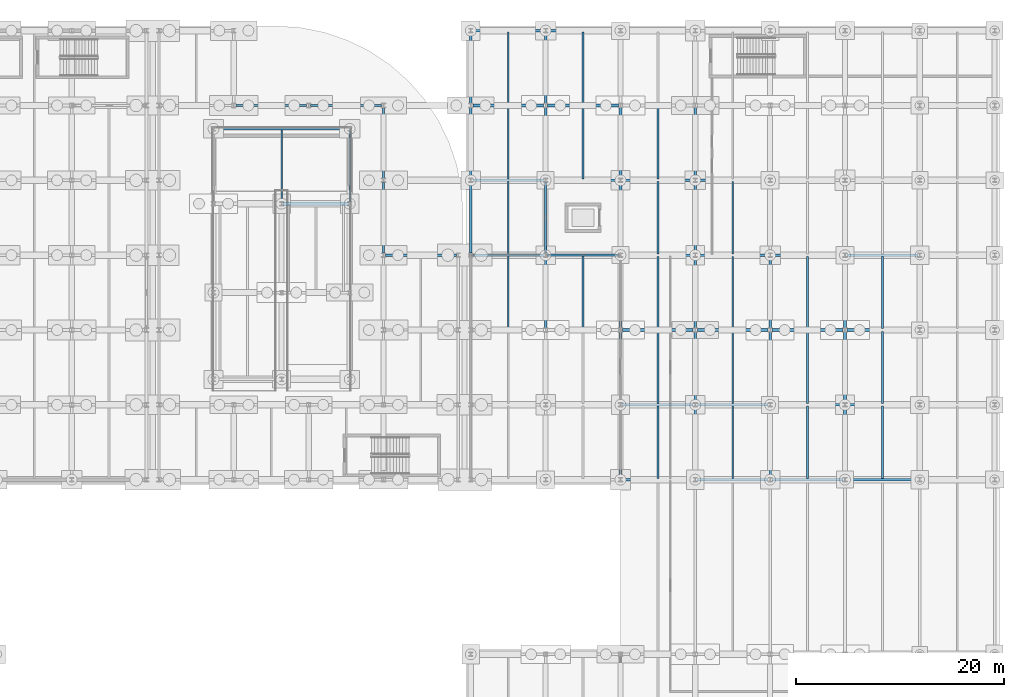
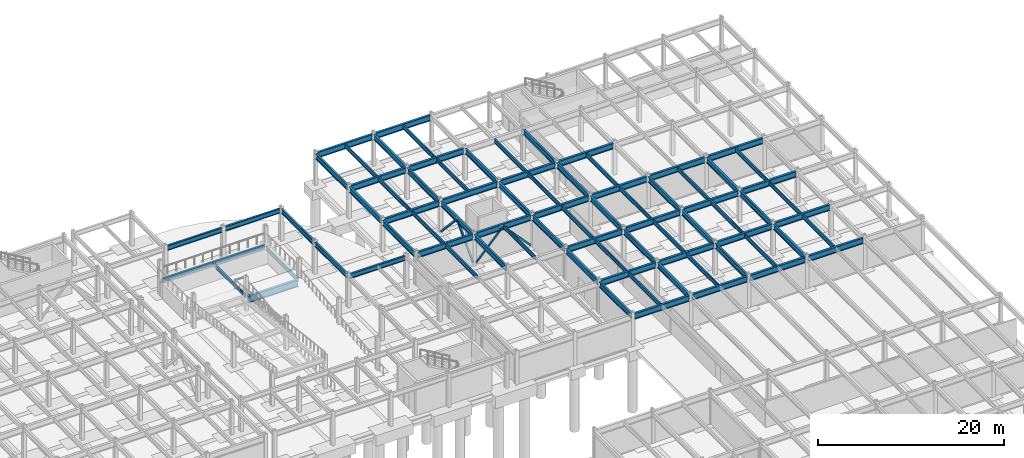
# One storey, part 35 of 54: 80 beams, 4 members.
"""IFC4 building model written with IfcOpenShell, lengths in metres."""

from ifc_helpers import new_model, si_unit, direction, frame, origin, origin_2d, place, context, subcontext, project, spatial, hollow_rectangle, i_section, extrude, material, material_profile, profile_set, type_object, element, save


model = new_model("IFC4")

# Units and contexts
model_context = context("Model", 3, precision=1e-05, world=origin(), true_north=direction((0.0, 1.0)))
body_context = subcontext(model_context, "Body", "Model", "MODEL_VIEW")
ifc_project = project(units=[si_unit("LENGTHUNIT", "METRE"), si_unit("AREAUNIT", "SQUARE_METRE"), si_unit("VOLUMEUNIT", "CUBIC_METRE"), si_unit("PLANEANGLEUNIT", "RADIAN"), si_unit("MASSUNIT", "GRAM", prefix="KILO")], contexts=[model_context])

# Site, building, storey
site_placement = place(None, origin())
site = spatial("IfcSite", under=ifc_project, at=site_placement, CompositionType="ELEMENT")
building_placement = place(site_placement, origin())
building = spatial("IfcBuilding", under=site, at=building_placement, Name="Vaelcorin Mobility Hub", CompositionType="ELEMENT")
storey_placement = place(building_placement, frame((0.0, 0.0, -4.5)))
storey = spatial("IfcBuildingStorey", under=building, at=storey_placement, Name="B1", CompositionType="ELEMENT", Elevation=-4.5)

# Beams
ifc_material_1 = material(Name="Steel ASTM A992 Grade 50", Category="steel")
ifc_material_profile_1 = material_profile(ifc_material_1, i_section(OverallWidth=0.152099609375, OverallDepth=0.455078125, WebThickness=0.008056640625, FlangeThickness=0.01318359375, FilletRadius=0.012939453125, at=origin_2d()), Name="W18X40")
ifc_profile_set_1 = profile_set([ifc_material_profile_1], Name="Steel ASTM A992 Grade 50")
beam_type_1 = type_object("IfcBeamType", Name="BM-W18X40", PredefinedType="JOIST", material=ifc_profile_set_1)
beam_1_placement = place(storey_placement, frame((135.39990234375, 103.52490234375, 1.741943359375), z_axis=(0.0, 1.0, 0.0), x_axis=(-1.0, 0.0, 0.0)))
element("IfcBeam", 1, at=beam_1_placement, inside=storey, type_object=beam_type_1, Name="Vehicle Ramp VR-2 B1 Landing Mid Joist", PredefinedType="JOIST", context=body_context, shape_type="SweptSolid", body=[
    extrude(i_section(OverallWidth=0.152099609375, OverallDepth=0.455078125, WebThickness=0.008056640625, FlangeThickness=0.01318359375, FilletRadius=0.012939453125, at=origin_2d()), origin(), (0.0, 0.0, 1.0), 6.922119140625),
])
ifc_material_profile_2 = material_profile(ifc_material_1, i_section(OverallWidth=0.166015625, OverallDepth=0.528076171875, WebThickness=0.009765625, FlangeThickness=0.013671875, FilletRadius=0.013916015625, at=origin_2d()), Name="W21X50")
ifc_profile_set_2 = profile_set([ifc_material_profile_2], Name="Steel ASTM A992 Grade 50")
beam_type_2 = type_object("IfcBeamType", Name="BM-W21X50", PredefinedType="JOIST", material=ifc_profile_set_2)
for number, where, z_axis, x_axis, name in (
    (2, (157.199951171875, 91.33203125, 3.916015625), (0.0, 1.0, 0.0), (-1.0, 0.0, 0.0), "B1 Beam V5-B1-J-01-11-1"),
    (3, (157.199951171875, 98.531982421875, 3.916015625), (0.0, 1.0, 0.0), (-1.0, 0.0, 0.0), "B1 Beam V5-B1-J-01-12-1"),
    (4, (157.199951171875, 105.73193359375, 3.916015625), (0.0, 1.0, 0.0), (-1.0, 0.0, 0.0), "B1 Beam V5-B1-J-01-13-1"),
    (5, (157.199951171875, 112.931884765625, 3.916015625), (0.0, 1.0, 0.0), (-1.0, 0.0, 0.0), "B1 Beam V5-B1-J-01-14-1"),
    (6, (164.39990234375, 91.33203125, 3.916015625), (0.0, 1.0, 0.0), (-1.0, 0.0, 0.0), "B1 Beam V5-B1-J-02-11-1"),
    (7, (164.39990234375, 105.73193359375, 3.916015625), (0.0, 1.0, 0.0), (-1.0, 0.0, 0.0), "B1 Beam V5-B1-J-02-13-1"),
    (8, (164.39990234375, 112.931884765625, 3.916015625), (0.0, 1.0, 0.0), (-1.0, 0.0, 0.0), "B1 Beam V5-B1-J-02-14-1"),
    (9, (171.60009765625, 76.931884765625, 3.916015625), (0.0, 1.0, 0.0), (-1.0, 0.0, 0.0), "B1 Beam V5-B1-J-03-09-1"),
    (10, (171.60009765625, 84.132080078125, 3.916015625), (0.0, 1.0, 0.0), (-1.0, 0.0, 0.0), "B1 Beam V5-B1-J-03-10-1"),
    (11, (171.60009765625, 91.33203125, 3.916015625), (0.0, 1.0, 0.0), (-1.0, 0.0, 0.0), "B1 Beam V5-B1-J-03-11-1"),
    (12, (171.60009765625, 98.531982421875, 3.916015625), (0.0, 1.0, 0.0), (-1.0, 0.0, 0.0), "B1 Beam V5-B1-J-03-12-1"),
    (13, (171.60009765625, 105.73193359375, 3.916015625), (0.0, 1.0, 0.0), (-1.0, 0.0, 0.0), "B1 Beam V5-B1-J-03-13-1"),
    (14, (178.800048828125, 76.931884765625, 3.916015625), (0.0, 1.0, 0.0), (-1.0, 0.0, 0.0), "B1 Beam V5-B1-J-04-09-1"),
    (15, (178.800048828125, 84.132080078125, 3.916015625), (0.0, 1.0, 0.0), (-1.0, 0.0, 0.0), "B1 Beam V5-B1-J-04-10-1"),
    (16, (178.800048828125, 91.33203125, 3.916015625), (0.0, 1.0, 0.0), (-1.0, 0.0, 0.0), "B1 Beam V5-B1-J-04-11-1"),
    (17, (178.800048828125, 98.531982421875, 3.916015625), (0.0, 1.0, 0.0), (-1.0, 0.0, 0.0), "B1 Beam V5-B1-J-04-12-1"),
    (18, (186.0, 76.931884765625, 3.916015625), (0.0, 1.0, 0.0), (-1.0, 0.0, 0.0), "B1 Beam V5-B1-J-05-09-1"),
    (19, (186.0, 84.132080078125, 3.916015625), (0.0, 1.0, 0.0), (-1.0, 0.0, 0.0), "B1 Beam V5-B1-J-05-10-1"),
    (20, (186.0, 91.33203125, 3.916015625), (0.0, 1.0, 0.0), (-1.0, 0.0, 0.0), "B1 Beam V5-B1-J-05-11-1"),
    (21, (193.199951171875, 76.931884765625, 3.916015625), (0.0, 1.0, 0.0), (-1.0, 0.0, 0.0), "B1 Beam V5-B1-J-06-09-1"),
    (22, (193.199951171875, 84.132080078125, 3.916015625), (0.0, 1.0, 0.0), (-1.0, 0.0, 0.0), "B1 Beam V5-B1-J-06-10-1"),
    (23, (193.199951171875, 91.33203125, 3.916015625), (0.0, 1.0, 0.0), (-1.0, 0.0, 0.0), "B1 Beam V5-B1-J-06-11-1"),
):
    element("IfcBeam", number, at=place(storey_placement, frame(where, z_axis=z_axis, x_axis=x_axis)), inside=storey, type_object=beam_type_2, Name=name, PredefinedType="JOIST", context=body_context, shape_type="SweptSolid", body=[
        extrude(i_section(OverallWidth=0.166015625, OverallDepth=0.528076171875, WebThickness=0.009765625, FlangeThickness=0.013671875, FilletRadius=0.013916015625, at=origin_2d()), origin(), (0.0, 0.0, 1.0), 6.93603515625),
    ])
beam_2_placement = place(storey_placement, frame((141.949951171875, 103.52490234375, 1.533935546875), z_axis=(0.0, 1.0, 0.0), x_axis=(-1.0, 0.0, 0.0)))
element("IfcBeam", 24, at=beam_2_placement, inside=storey, type_object=beam_type_2, Name="Vehicle Ramp VR-2 B1 Landing East Edge Beam", PredefinedType="JOIST", context=body_context, shape_type="SweptSolid", body=[
    extrude(i_section(OverallWidth=0.166015625, OverallDepth=0.528076171875, WebThickness=0.009765625, FlangeThickness=0.013671875, FilletRadius=0.013916015625, at=origin_2d()), origin(), (0.0, 0.0, 1.0), 6.85009765625),
])
ifc_material_profile_3 = material_profile(ifc_material_1, i_section(OverallWidth=0.2099609375, OverallDepth=0.535888671875, WebThickness=0.010986328125, FlangeThickness=0.017333984375, FilletRadius=0.013916015625, at=origin_2d()), Name="W21X68")
ifc_profile_set_3 = profile_set([ifc_material_profile_3], Name="Steel ASTM A992 Grade 50")
beam_type_3 = type_object("IfcBeamType", Name="BM-W21X68", PredefinedType="SPANDREL", material=ifc_profile_set_3)
beam_3_placement = place(storey_placement, frame((128.97998046875, 110.550048828125, 1.701904296875), z_axis=(1.0, 0.0, 0.0), x_axis=(0.0, 1.0, 0.0)))
element("IfcBeam", 25, at=beam_3_placement, inside=storey, type_object=beam_type_3, Name="Vehicle Ramp VR-2 B1 Landing Back Girder", PredefinedType="SPANDREL", context=body_context, shape_type="SweptSolid", body=[
    extrude(i_section(OverallWidth=0.2099609375, OverallDepth=0.535888671875, WebThickness=0.010986328125, FlangeThickness=0.017333984375, FilletRadius=0.013916015625, at=origin_2d()), origin(), (0.0, 0.0, 1.0), 12.840087890625),
])
ifc_material_profile_4 = material_profile(ifc_material_1, i_section(OverallWidth=0.22900390625, OverallDepth=0.612060546875, WebThickness=0.011962890625, FlangeThickness=0.01953125, FilletRadius=0.014892578125, at=origin_2d()), Name="W24X84")
ifc_profile_set_4 = profile_set([ifc_material_profile_4], Name="Steel ASTM A992 Grade 50")
beam_type_4 = type_object("IfcBeamType", Name="BM-W24X84", PredefinedType="BEAM", material=ifc_profile_set_4)
beam_4_placement = place(storey_placement, frame((145.39697265625, 98.39990234375, 3.944091796875), z_axis=(1.0, 0.0, 0.0), x_axis=(0.0, 1.0, 0.0)))
element("IfcBeam", 26, at=beam_4_placement, inside=storey, type_object=beam_type_4, Name="B1 Beam V2E-B1-GX-04-04", PredefinedType="BEAM", context=body_context, shape_type="SweptSolid", body=[
    extrude(i_section(OverallWidth=0.22900390625, OverallDepth=0.612060546875, WebThickness=0.011962890625, FlangeThickness=0.01953125, FilletRadius=0.014892578125, at=origin_2d()), origin(), (0.0, 0.0, 1.0), 6.805908203125),
])
for number, where, z_axis, x_axis, name in (
    (27, (130.998046875, 112.800048828125, 3.944091796875), (1.0, 0.0, 0.0), (0.0, 1.0, 0.0), "B1 Beam V2E-B1-GX-06-02"),
    (28, (138.197998046875, 112.800048828125, 3.944091796875), (1.0, 0.0, 0.0), (0.0, 1.0, 0.0), "B1 Beam V2E-B1-GX-06-03"),
):
    element("IfcBeam", number, at=place(storey_placement, frame(where, z_axis=z_axis, x_axis=x_axis)), inside=storey, type_object=beam_type_4, Name=name, PredefinedType="BEAM", context=body_context, shape_type="SweptSolid", body=[
        extrude(i_section(OverallWidth=0.22900390625, OverallDepth=0.612060546875, WebThickness=0.011962890625, FlangeThickness=0.01953125, FilletRadius=0.014892578125, at=origin_2d()), origin(), (0.0, 0.0, 1.0), 6.803955078125),
    ])
for number, where, z_axis, x_axis, name in (
    (29, (145.199951171875, 98.594970703125, 3.944091796875), (0.0, 1.0, 0.0), (-1.0, 0.0, 0.0), "B1 Beam V2E-B1-GY-04-04"),
    (30, (145.199951171875, 105.794921875, 3.944091796875), (0.0, 1.0, 0.0), (-1.0, 0.0, 0.0), "B1 Beam V2E-B1-GY-04-05"),
):
    element("IfcBeam", number, at=place(storey_placement, frame(where, z_axis=z_axis, x_axis=x_axis)), inside=storey, type_object=beam_type_4, Name=name, PredefinedType="BEAM", context=body_context, shape_type="SweptSolid", body=[
        extrude(i_section(OverallWidth=0.22900390625, OverallDepth=0.612060546875, WebThickness=0.011962890625, FlangeThickness=0.01953125, FilletRadius=0.014892578125, at=origin_2d()), origin(), (0.0, 0.0, 1.0), 6.81005859375),
    ])
ifc_material_profile_5 = material_profile(ifc_material_1, i_section(OverallWidth=0.25390625, OverallDepth=0.68310546875, WebThickness=0.012451171875, FlangeThickness=0.018798828125, FilletRadius=0.01611328125, at=origin_2d()), Name="W27X94")
ifc_profile_set_5 = profile_set([ifc_material_profile_5], Name="Steel ASTM A992 Grade 50")
beam_type_5 = type_object("IfcBeamType", Name="BM-W27X94", PredefinedType="BEAM", material=ifc_profile_set_5)
for number, where, z_axis, x_axis, name in (
    (31, (153.60009765625, 98.594970703125, 3.837890625), (0.0, 1.0, 0.0), (-1.0, 0.0, 0.0), "B1 Beam V5-B1-GY-01-12"),
    (32, (153.60009765625, 105.794921875, 3.837890625), (0.0, 1.0, 0.0), (-1.0, 0.0, 0.0), "B1 Beam V5-B1-GY-01-13"),
):
    element("IfcBeam", number, at=place(storey_placement, frame(where, z_axis=z_axis, x_axis=x_axis)), inside=storey, type_object=beam_type_5, Name=name, PredefinedType="BEAM", context=body_context, shape_type="SweptSolid", body=[
        extrude(i_section(OverallWidth=0.25390625, OverallDepth=0.68310546875, WebThickness=0.012451171875, FlangeThickness=0.018798828125, FilletRadius=0.01611328125, at=origin_2d()), origin(), (0.0, 0.0, 1.0), 6.81005859375),
    ])
beam_5_placement = place(storey_placement, frame((153.60009765625, 112.9951171875, 3.837890625), z_axis=(0.0, 1.0, 0.0), x_axis=(-1.0, 0.0, 0.0)))
element("IfcBeam", 33, at=beam_5_placement, inside=storey, type_object=beam_type_5, Name="B1 Beam V5-B1-GY-01-14", PredefinedType="BEAM", context=body_context, shape_type="SweptSolid", body=[
    extrude(i_section(OverallWidth=0.25390625, OverallDepth=0.68310546875, WebThickness=0.012451171875, FlangeThickness=0.018798828125, FilletRadius=0.01611328125, at=origin_2d()), origin(), (0.0, 0.0, 1.0), 6.809814453125),
])
for number, where, z_axis, x_axis, name in (
    (34, (160.800048828125, 91.39501953125, 3.837890625), (0.0, 1.0, 0.0), (-1.0, 0.0, 0.0), "B1 Beam V5-B1-GY-02-11"),
    (35, (160.800048828125, 98.594970703125, 3.837890625), (0.0, 1.0, 0.0), (-1.0, 0.0, 0.0), "B1 Beam V5-B1-GY-02-12"),
    (36, (160.800048828125, 105.794921875, 3.837890625), (0.0, 1.0, 0.0), (-1.0, 0.0, 0.0), "B1 Beam V5-B1-GY-02-13"),
):
    element("IfcBeam", number, at=place(storey_placement, frame(where, z_axis=z_axis, x_axis=x_axis)), inside=storey, type_object=beam_type_5, Name=name, PredefinedType="BEAM", context=body_context, shape_type="SweptSolid", body=[
        extrude(i_section(OverallWidth=0.25390625, OverallDepth=0.68310546875, WebThickness=0.012451171875, FlangeThickness=0.018798828125, FilletRadius=0.01611328125, at=origin_2d()), origin(), (0.0, 0.0, 1.0), 6.81005859375),
    ])
for number, where, z_axis, x_axis, name in (
    (37, (160.800048828125, 112.9951171875, 3.837890625), (0.0, 1.0, 0.0), (-1.0, 0.0, 0.0), "B1 Beam V5-B1-GY-02-14"),
    (38, (168.0, 76.9951171875, 3.837890625), (0.0, 1.0, 0.0), (-1.0, 0.0, 0.0), "B1 Beam V5-B1-GY-03-09"),
    (39, (168.0, 84.195068359375, 3.837890625), (0.0, 1.0, 0.0), (-1.0, 0.0, 0.0), "B1 Beam V5-B1-GY-03-10"),
):
    element("IfcBeam", number, at=place(storey_placement, frame(where, z_axis=z_axis, x_axis=x_axis)), inside=storey, type_object=beam_type_5, Name=name, PredefinedType="BEAM", context=body_context, shape_type="SweptSolid", body=[
        extrude(i_section(OverallWidth=0.25390625, OverallDepth=0.68310546875, WebThickness=0.012451171875, FlangeThickness=0.018798828125, FilletRadius=0.01611328125, at=origin_2d()), origin(), (0.0, 0.0, 1.0), 6.809814453125),
    ])
for number, where, z_axis, x_axis, name in (
    (40, (168.0, 91.39501953125, 3.837890625), (0.0, 1.0, 0.0), (-1.0, 0.0, 0.0), "B1 Beam V5-B1-GY-03-11"),
    (41, (168.0, 98.594970703125, 3.837890625), (0.0, 1.0, 0.0), (-1.0, 0.0, 0.0), "B1 Beam V5-B1-GY-03-12"),
    (42, (168.0, 105.794921875, 3.837890625), (0.0, 1.0, 0.0), (-1.0, 0.0, 0.0), "B1 Beam V5-B1-GY-03-13"),
):
    element("IfcBeam", number, at=place(storey_placement, frame(where, z_axis=z_axis, x_axis=x_axis)), inside=storey, type_object=beam_type_5, Name=name, PredefinedType="BEAM", context=body_context, shape_type="SweptSolid", body=[
        extrude(i_section(OverallWidth=0.25390625, OverallDepth=0.68310546875, WebThickness=0.012451171875, FlangeThickness=0.018798828125, FilletRadius=0.01611328125, at=origin_2d()), origin(), (0.0, 0.0, 1.0), 6.81005859375),
    ])
for number, where, z_axis, x_axis, name in (
    (43, (175.199951171875, 76.9951171875, 3.837890625), (0.0, 1.0, 0.0), (-1.0, 0.0, 0.0), "B1 Beam V5-B1-GY-04-09"),
    (44, (175.199951171875, 84.195068359375, 3.837890625), (0.0, 1.0, 0.0), (-1.0, 0.0, 0.0), "B1 Beam V5-B1-GY-04-10"),
):
    element("IfcBeam", number, at=place(storey_placement, frame(where, z_axis=z_axis, x_axis=x_axis)), inside=storey, type_object=beam_type_5, Name=name, PredefinedType="BEAM", context=body_context, shape_type="SweptSolid", body=[
        extrude(i_section(OverallWidth=0.25390625, OverallDepth=0.68310546875, WebThickness=0.012451171875, FlangeThickness=0.018798828125, FilletRadius=0.01611328125, at=origin_2d()), origin(), (0.0, 0.0, 1.0), 6.809814453125),
    ])
for number, where, z_axis, x_axis, name in (
    (45, (175.199951171875, 91.39501953125, 3.837890625), (0.0, 1.0, 0.0), (-1.0, 0.0, 0.0), "B1 Beam V5-B1-GY-04-11"),
    (46, (175.199951171875, 98.594970703125, 3.837890625), (0.0, 1.0, 0.0), (-1.0, 0.0, 0.0), "B1 Beam V5-B1-GY-04-12"),
    (47, (175.199951171875, 105.794921875, 3.837890625), (0.0, 1.0, 0.0), (-1.0, 0.0, 0.0), "B1 Beam V5-B1-GY-04-13"),
):
    element("IfcBeam", number, at=place(storey_placement, frame(where, z_axis=z_axis, x_axis=x_axis)), inside=storey, type_object=beam_type_5, Name=name, PredefinedType="BEAM", context=body_context, shape_type="SweptSolid", body=[
        extrude(i_section(OverallWidth=0.25390625, OverallDepth=0.68310546875, WebThickness=0.012451171875, FlangeThickness=0.018798828125, FilletRadius=0.01611328125, at=origin_2d()), origin(), (0.0, 0.0, 1.0), 6.81005859375),
    ])
for number, where, z_axis, x_axis, name in (
    (48, (182.39990234375, 76.9951171875, 3.837890625), (0.0, 1.0, 0.0), (-1.0, 0.0, 0.0), "B1 Beam V5-B1-GY-05-09"),
    (49, (182.39990234375, 84.195068359375, 3.837890625), (0.0, 1.0, 0.0), (-1.0, 0.0, 0.0), "B1 Beam V5-B1-GY-05-10"),
):
    element("IfcBeam", number, at=place(storey_placement, frame(where, z_axis=z_axis, x_axis=x_axis)), inside=storey, type_object=beam_type_5, Name=name, PredefinedType="BEAM", context=body_context, shape_type="SweptSolid", body=[
        extrude(i_section(OverallWidth=0.25390625, OverallDepth=0.68310546875, WebThickness=0.012451171875, FlangeThickness=0.018798828125, FilletRadius=0.01611328125, at=origin_2d()), origin(), (0.0, 0.0, 1.0), 6.809814453125),
    ])
beam_6_placement = place(storey_placement, frame((182.39990234375, 91.39501953125, 3.837890625), z_axis=(0.0, 1.0, 0.0), x_axis=(-1.0, 0.0, 0.0)))
element("IfcBeam", 50, at=beam_6_placement, inside=storey, type_object=beam_type_5, Name="B1 Beam V5-B1-GY-05-11", PredefinedType="BEAM", context=body_context, shape_type="SweptSolid", body=[
    extrude(i_section(OverallWidth=0.25390625, OverallDepth=0.68310546875, WebThickness=0.012451171875, FlangeThickness=0.018798828125, FilletRadius=0.01611328125, at=origin_2d()), origin(), (0.0, 0.0, 1.0), 6.81005859375),
])
for number, where, z_axis, x_axis, name in (
    (51, (189.60009765625, 76.9951171875, 3.837890625), (0.0, 1.0, 0.0), (-1.0, 0.0, 0.0), "B1 Beam V5-B1-GY-06-09"),
    (52, (189.60009765625, 84.195068359375, 3.837890625), (0.0, 1.0, 0.0), (-1.0, 0.0, 0.0), "B1 Beam V5-B1-GY-06-10"),
):
    element("IfcBeam", number, at=place(storey_placement, frame(where, z_axis=z_axis, x_axis=x_axis)), inside=storey, type_object=beam_type_5, Name=name, PredefinedType="BEAM", context=body_context, shape_type="SweptSolid", body=[
        extrude(i_section(OverallWidth=0.25390625, OverallDepth=0.68310546875, WebThickness=0.012451171875, FlangeThickness=0.018798828125, FilletRadius=0.01611328125, at=origin_2d()), origin(), (0.0, 0.0, 1.0), 6.809814453125),
    ])
beam_7_placement = place(storey_placement, frame((189.60009765625, 91.39501953125, 3.837890625), z_axis=(0.0, 1.0, 0.0), x_axis=(-1.0, 0.0, 0.0)))
element("IfcBeam", 53, at=beam_7_placement, inside=storey, type_object=beam_type_5, Name="B1 Beam V5-B1-GY-06-11", PredefinedType="BEAM", context=body_context, shape_type="SweptSolid", body=[
    extrude(i_section(OverallWidth=0.25390625, OverallDepth=0.68310546875, WebThickness=0.012451171875, FlangeThickness=0.018798828125, FilletRadius=0.01611328125, at=origin_2d()), origin(), (0.0, 0.0, 1.0), 6.81005859375),
])
ifc_material_profile_6 = material_profile(ifc_material_1, i_section(OverallWidth=0.26708984375, OverallDepth=0.757080078125, WebThickness=0.013916015625, FlangeThickness=0.019287109375, FilletRadius=0.01708984375, at=origin_2d()), Name="W30X108")
ifc_profile_set_6 = profile_set([ifc_material_profile_6], Name="Steel ASTM A992 Grade 50")
beam_type_6 = type_object("IfcBeamType", Name="BM-W30X108", PredefinedType="BEAM", material=ifc_profile_set_6)
beam_8_placement = place(storey_placement, frame((168.197998046875, 76.800048828125, 3.802001953125), z_axis=(1.0, 0.0, 0.0), x_axis=(0.0, 1.0, 0.0)))
element("IfcBeam", 54, at=beam_8_placement, inside=storey, type_object=beam_type_6, Name="B1 Beam V5-B1-GX-09-03", PredefinedType="BEAM", context=body_context, shape_type="SweptSolid", body=[
    extrude(i_section(OverallWidth=0.26708984375, OverallDepth=0.757080078125, WebThickness=0.013916015625, FlangeThickness=0.019287109375, FilletRadius=0.01708984375, at=origin_2d()), origin(), (0.0, 0.0, 1.0), 6.803955078125),
])
beam_9_placement = place(storey_placement, frame((175.39697265625, 76.800048828125, 3.802001953125), z_axis=(1.0, 0.0, 0.0), x_axis=(0.0, 1.0, 0.0)))
element("IfcBeam", 55, at=beam_9_placement, inside=storey, type_object=beam_type_6, Name="B1 Beam V5-B1-GX-09-04", PredefinedType="BEAM", context=body_context, shape_type="SweptSolid", body=[
    extrude(i_section(OverallWidth=0.26708984375, OverallDepth=0.757080078125, WebThickness=0.013916015625, FlangeThickness=0.019287109375, FilletRadius=0.01708984375, at=origin_2d()), origin(), (0.0, 0.0, 1.0), 6.805908203125),
])
beam_10_placement = place(storey_placement, frame((182.597900390625, 76.800048828125, 3.802001953125), z_axis=(1.0, 0.0, 0.0), x_axis=(0.0, 1.0, 0.0)))
element("IfcBeam", 56, at=beam_10_placement, inside=storey, type_object=beam_type_6, Name="B1 Beam V5-B1-GX-09-05", PredefinedType="BEAM", context=body_context, shape_type="SweptSolid", body=[
    extrude(i_section(OverallWidth=0.26708984375, OverallDepth=0.757080078125, WebThickness=0.013916015625, FlangeThickness=0.019287109375, FilletRadius=0.01708984375, at=origin_2d()), origin(), (0.0, 0.0, 1.0), 6.80419921875),
])
beam_11_placement = place(storey_placement, frame((189.797119140625, 76.800048828125, 3.802001953125), z_axis=(1.0, 0.0, 0.0), x_axis=(0.0, 1.0, 0.0)))
element("IfcBeam", 57, at=beam_11_placement, inside=storey, type_object=beam_type_6, Name="B1 Beam V5-B1-GX-09-06", PredefinedType="BEAM", context=body_context, shape_type="SweptSolid", body=[
    extrude(i_section(OverallWidth=0.26708984375, OverallDepth=0.757080078125, WebThickness=0.013916015625, FlangeThickness=0.019287109375, FilletRadius=0.01708984375, at=origin_2d()), origin(), (0.0, 0.0, 1.0), 6.805908203125),
])
beam_12_placement = place(storey_placement, frame((168.197998046875, 84.0, 3.802001953125), z_axis=(1.0, 0.0, 0.0), x_axis=(0.0, 1.0, 0.0)))
element("IfcBeam", 58, at=beam_12_placement, inside=storey, type_object=beam_type_6, Name="B1 Beam V5-B1-GX-10-03", PredefinedType="BEAM", context=body_context, shape_type="SweptSolid", body=[
    extrude(i_section(OverallWidth=0.26708984375, OverallDepth=0.757080078125, WebThickness=0.013916015625, FlangeThickness=0.019287109375, FilletRadius=0.01708984375, at=origin_2d()), origin(), (0.0, 0.0, 1.0), 6.803955078125),
])
beam_13_placement = place(storey_placement, frame((175.39697265625, 84.0, 3.802001953125), z_axis=(1.0, 0.0, 0.0), x_axis=(0.0, 1.0, 0.0)))
element("IfcBeam", 59, at=beam_13_placement, inside=storey, type_object=beam_type_6, Name="B1 Beam V5-B1-GX-10-04", PredefinedType="BEAM", context=body_context, shape_type="SweptSolid", body=[
    extrude(i_section(OverallWidth=0.26708984375, OverallDepth=0.757080078125, WebThickness=0.013916015625, FlangeThickness=0.019287109375, FilletRadius=0.01708984375, at=origin_2d()), origin(), (0.0, 0.0, 1.0), 6.805908203125),
])
beam_14_placement = place(storey_placement, frame((182.597900390625, 84.0, 3.802001953125), z_axis=(1.0, 0.0, 0.0), x_axis=(0.0, 1.0, 0.0)))
element("IfcBeam", 60, at=beam_14_placement, inside=storey, type_object=beam_type_6, Name="B1 Beam V5-B1-GX-10-05", PredefinedType="BEAM", context=body_context, shape_type="SweptSolid", body=[
    extrude(i_section(OverallWidth=0.26708984375, OverallDepth=0.757080078125, WebThickness=0.013916015625, FlangeThickness=0.019287109375, FilletRadius=0.01708984375, at=origin_2d()), origin(), (0.0, 0.0, 1.0), 6.80419921875),
])
beam_15_placement = place(storey_placement, frame((189.797119140625, 84.0, 3.802001953125), z_axis=(1.0, 0.0, 0.0), x_axis=(0.0, 1.0, 0.0)))
element("IfcBeam", 61, at=beam_15_placement, inside=storey, type_object=beam_type_6, Name="B1 Beam V5-B1-GX-10-06", PredefinedType="BEAM", context=body_context, shape_type="SweptSolid", body=[
    extrude(i_section(OverallWidth=0.26708984375, OverallDepth=0.757080078125, WebThickness=0.013916015625, FlangeThickness=0.019287109375, FilletRadius=0.01708984375, at=origin_2d()), origin(), (0.0, 0.0, 1.0), 6.805908203125),
])
beam_16_placement = place(storey_placement, frame((168.197998046875, 91.199951171875, 3.802001953125), z_axis=(1.0, 0.0, 0.0), x_axis=(0.0, 1.0, 0.0)))
element("IfcBeam", 62, at=beam_16_placement, inside=storey, type_object=beam_type_6, Name="B1 Beam V5-B1-GX-11-03", PredefinedType="BEAM", context=body_context, shape_type="SweptSolid", body=[
    extrude(i_section(OverallWidth=0.26708984375, OverallDepth=0.757080078125, WebThickness=0.013916015625, FlangeThickness=0.019287109375, FilletRadius=0.01708984375, at=origin_2d()), origin(), (0.0, 0.0, 1.0), 6.803955078125),
])
beam_17_placement = place(storey_placement, frame((175.39697265625, 91.199951171875, 3.802001953125), z_axis=(1.0, 0.0, 0.0), x_axis=(0.0, 1.0, 0.0)))
element("IfcBeam", 63, at=beam_17_placement, inside=storey, type_object=beam_type_6, Name="B1 Beam V5-B1-GX-11-04", PredefinedType="BEAM", context=body_context, shape_type="SweptSolid", body=[
    extrude(i_section(OverallWidth=0.26708984375, OverallDepth=0.757080078125, WebThickness=0.013916015625, FlangeThickness=0.019287109375, FilletRadius=0.01708984375, at=origin_2d()), origin(), (0.0, 0.0, 1.0), 6.805908203125),
])
beam_18_placement = place(storey_placement, frame((182.597900390625, 91.199951171875, 3.802001953125), z_axis=(1.0, 0.0, 0.0), x_axis=(0.0, 1.0, 0.0)))
element("IfcBeam", 64, at=beam_18_placement, inside=storey, type_object=beam_type_6, Name="B1 Beam V5-B1-GX-11-05", PredefinedType="BEAM", context=body_context, shape_type="SweptSolid", body=[
    extrude(i_section(OverallWidth=0.26708984375, OverallDepth=0.757080078125, WebThickness=0.013916015625, FlangeThickness=0.019287109375, FilletRadius=0.01708984375, at=origin_2d()), origin(), (0.0, 0.0, 1.0), 6.80419921875),
])
beam_19_placement = place(storey_placement, frame((189.797119140625, 91.199951171875, 3.802001953125), z_axis=(1.0, 0.0, 0.0), x_axis=(0.0, 1.0, 0.0)))
element("IfcBeam", 65, at=beam_19_placement, inside=storey, type_object=beam_type_6, Name="B1 Beam V5-B1-GX-11-06", PredefinedType="BEAM", context=body_context, shape_type="SweptSolid", body=[
    extrude(i_section(OverallWidth=0.26708984375, OverallDepth=0.757080078125, WebThickness=0.013916015625, FlangeThickness=0.019287109375, FilletRadius=0.01708984375, at=origin_2d()), origin(), (0.0, 0.0, 1.0), 6.805908203125),
])
for number, where, z_axis, x_axis, name in (
    (66, (153.797119140625, 98.39990234375, 3.802001953125), (1.0, 0.0, 0.0), (0.0, 1.0, 0.0), "B1 Beam V5-B1-GX-12-01"),
    (67, (160.9970703125, 98.39990234375, 3.802001953125), (1.0, 0.0, 0.0), (0.0, 1.0, 0.0), "B1 Beam V5-B1-GX-12-02"),
):
    element("IfcBeam", number, at=place(storey_placement, frame(where, z_axis=z_axis, x_axis=x_axis)), inside=storey, type_object=beam_type_6, Name=name, PredefinedType="BEAM", context=body_context, shape_type="SweptSolid", body=[
        extrude(i_section(OverallWidth=0.26708984375, OverallDepth=0.757080078125, WebThickness=0.013916015625, FlangeThickness=0.019287109375, FilletRadius=0.01708984375, at=origin_2d()), origin(), (0.0, 0.0, 1.0), 6.804931640625),
    ])
beam_20_placement = place(storey_placement, frame((168.197998046875, 98.39990234375, 3.802001953125), z_axis=(1.0, 0.0, 0.0), x_axis=(0.0, 1.0, 0.0)))
element("IfcBeam", 68, at=beam_20_placement, inside=storey, type_object=beam_type_6, Name="B1 Beam V5-B1-GX-12-03", PredefinedType="BEAM", context=body_context, shape_type="SweptSolid", body=[
    extrude(i_section(OverallWidth=0.26708984375, OverallDepth=0.757080078125, WebThickness=0.013916015625, FlangeThickness=0.019287109375, FilletRadius=0.01708984375, at=origin_2d()), origin(), (0.0, 0.0, 1.0), 6.803955078125),
])
beam_21_placement = place(storey_placement, frame((175.39697265625, 98.39990234375, 3.802001953125), z_axis=(1.0, 0.0, 0.0), x_axis=(0.0, 1.0, 0.0)))
element("IfcBeam", 69, at=beam_21_placement, inside=storey, type_object=beam_type_6, Name="B1 Beam V5-B1-GX-12-04", PredefinedType="BEAM", context=body_context, shape_type="SweptSolid", body=[
    extrude(i_section(OverallWidth=0.26708984375, OverallDepth=0.757080078125, WebThickness=0.013916015625, FlangeThickness=0.019287109375, FilletRadius=0.01708984375, at=origin_2d()), origin(), (0.0, 0.0, 1.0), 6.805908203125),
])
beam_22_placement = place(storey_placement, frame((182.597900390625, 98.39990234375, 3.802001953125), z_axis=(1.0, 0.0, 0.0), x_axis=(0.0, 1.0, 0.0)))
element("IfcBeam", 70, at=beam_22_placement, inside=storey, type_object=beam_type_6, Name="B1 Beam V5-B1-GX-12-05", PredefinedType="BEAM", context=body_context, shape_type="SweptSolid", body=[
    extrude(i_section(OverallWidth=0.26708984375, OverallDepth=0.757080078125, WebThickness=0.013916015625, FlangeThickness=0.019287109375, FilletRadius=0.01708984375, at=origin_2d()), origin(), (0.0, 0.0, 1.0), 6.80419921875),
])
beam_23_placement = place(storey_placement, frame((189.797119140625, 98.39990234375, 3.802001953125), z_axis=(1.0, 0.0, 0.0), x_axis=(0.0, 1.0, 0.0)))
element("IfcBeam", 71, at=beam_23_placement, inside=storey, type_object=beam_type_6, Name="B1 Beam V5-B1-GX-12-06", PredefinedType="BEAM", context=body_context, shape_type="SweptSolid", body=[
    extrude(i_section(OverallWidth=0.26708984375, OverallDepth=0.757080078125, WebThickness=0.013916015625, FlangeThickness=0.019287109375, FilletRadius=0.01708984375, at=origin_2d()), origin(), (0.0, 0.0, 1.0), 6.805908203125),
])
for number, where, z_axis, x_axis, name in (
    (72, (153.797119140625, 105.60009765625, 3.802001953125), (1.0, 0.0, 0.0), (0.0, 1.0, 0.0), "B1 Beam V5-B1-GX-13-01"),
    (73, (160.9970703125, 105.60009765625, 3.802001953125), (1.0, 0.0, 0.0), (0.0, 1.0, 0.0), "B1 Beam V5-B1-GX-13-02"),
):
    element("IfcBeam", number, at=place(storey_placement, frame(where, z_axis=z_axis, x_axis=x_axis)), inside=storey, type_object=beam_type_6, Name=name, PredefinedType="BEAM", context=body_context, shape_type="SweptSolid", body=[
        extrude(i_section(OverallWidth=0.26708984375, OverallDepth=0.757080078125, WebThickness=0.013916015625, FlangeThickness=0.019287109375, FilletRadius=0.01708984375, at=origin_2d()), origin(), (0.0, 0.0, 1.0), 6.804931640625),
    ])
beam_24_placement = place(storey_placement, frame((168.197998046875, 105.60009765625, 3.802001953125), z_axis=(1.0, 0.0, 0.0), x_axis=(0.0, 1.0, 0.0)))
element("IfcBeam", 74, at=beam_24_placement, inside=storey, type_object=beam_type_6, Name="B1 Beam V5-B1-GX-13-03", PredefinedType="BEAM", context=body_context, shape_type="SweptSolid", body=[
    extrude(i_section(OverallWidth=0.26708984375, OverallDepth=0.757080078125, WebThickness=0.013916015625, FlangeThickness=0.019287109375, FilletRadius=0.01708984375, at=origin_2d()), origin(), (0.0, 0.0, 1.0), 6.803955078125),
])
beam_25_placement = place(storey_placement, frame((175.39697265625, 105.60009765625, 3.802001953125), z_axis=(1.0, 0.0, 0.0), x_axis=(0.0, 1.0, 0.0)))
element("IfcBeam", 75, at=beam_25_placement, inside=storey, type_object=beam_type_6, Name="B1 Beam V5-B1-GX-13-04", PredefinedType="BEAM", context=body_context, shape_type="SweptSolid", body=[
    extrude(i_section(OverallWidth=0.26708984375, OverallDepth=0.757080078125, WebThickness=0.013916015625, FlangeThickness=0.019287109375, FilletRadius=0.01708984375, at=origin_2d()), origin(), (0.0, 0.0, 1.0), 6.805908203125),
])
for number, where, z_axis, x_axis, name in (
    (76, (153.797119140625, 112.800048828125, 3.802001953125), (1.0, 0.0, 0.0), (0.0, 1.0, 0.0), "B1 Beam V5-B1-GX-14-01"),
    (77, (160.9970703125, 112.800048828125, 3.802001953125), (1.0, 0.0, 0.0), (0.0, 1.0, 0.0), "B1 Beam V5-B1-GX-14-02"),
    (78, (153.797119140625, 120.0, 3.802001953125), (1.0, 0.0, 0.0), (0.0, 1.0, 0.0), "B1 Beam V5-B1-GX-15-01"),
    (79, (160.9970703125, 120.0, 3.802001953125), (1.0, 0.0, 0.0), (0.0, 1.0, 0.0), "B1 Beam V5-B1-GX-15-02"),
):
    element("IfcBeam", number, at=place(storey_placement, frame(where, z_axis=z_axis, x_axis=x_axis)), inside=storey, type_object=beam_type_6, Name=name, PredefinedType="BEAM", context=body_context, shape_type="SweptSolid", body=[
        extrude(i_section(OverallWidth=0.26708984375, OverallDepth=0.757080078125, WebThickness=0.013916015625, FlangeThickness=0.019287109375, FilletRadius=0.01708984375, at=origin_2d()), origin(), (0.0, 0.0, 1.0), 6.804931640625),
    ])
ifc_material_profile_7 = material_profile(ifc_material_1, i_section(OverallWidth=0.304931640625, OverallDepth=0.9140625, WebThickness=0.0166015625, FlangeThickness=0.02587890625, FilletRadius=0.02001953125, at=origin_2d()), Name="W36X160")
ifc_profile_set_7 = profile_set([ifc_material_profile_7], Name="Steel ASTM A992 Grade 50")
beam_type_7 = type_object("IfcBeamType", Name="BM-W36X160", PredefinedType="BEAM", material=ifc_profile_set_7)
beam_26_placement = place(storey_placement, frame((135.530029296875, 103.35009765625, 1.341064453125), z_axis=(1.0, 0.0, 0.0), x_axis=(0.0, 1.0, 0.0)))
element("IfcBeam", 80, at=beam_26_placement, inside=storey, type_object=beam_type_7, Name="Vehicle Ramp VR-2 B1 Landing Girder NE", PredefinedType="BEAM", context=body_context, shape_type="SweptSolid", body=[
    extrude(i_section(OverallWidth=0.304931640625, OverallDepth=0.9140625, WebThickness=0.0166015625, FlangeThickness=0.02587890625, FilletRadius=0.02001953125, at=origin_2d()), origin(), (0.0, 0.0, 1.0), 6.2900390625),
])

# Members
ifc_material_2 = material(Name="Steel ASTM A500 Grade C", Category="steel")
ifc_material_profile_8 = material_profile(ifc_material_2, hollow_rectangle(XDim=0.203125, YDim=0.203125, WallThickness=0.01171875, at=origin_2d()), Name="HSS8X8X0.500")
ifc_profile_set_8 = profile_set([ifc_material_profile_8], Name="Steel ASTM A500 Grade C")
member_type = type_object("IfcMemberType", Name="BR-SCBF-8X8", PredefinedType="BRACE", material=ifc_profile_set_8)
member_1_placement = place(storey_placement, frame((160.989990234375, 98.39990234375, 0.179931640625), z_axis=(0.680654817362, 0.0, 0.73260427217), x_axis=(0.0, 1.0, 0.0)))
element("IfcMember", 81, at=member_1_placement, inside=storey, type_object=member_type, Name="SCBF Chevron Brace V5-BX2-B1-A", PredefinedType="BRACE", context=body_context, shape_type="SweptSolid", body=[
    extrude(hollow_rectangle(XDim=0.203125, YDim=0.203125, WallThickness=0.01171875, at=origin_2d()), origin(), (0.0, 0.0, 1.0), 5.009765625),
])
member_2_placement = place(storey_placement, frame((167.81005859375, 98.39990234375, 0.179931640625), z_axis=(-0.68068097154, 0.0, 0.732579971732), x_axis=(0.0, -1.0, 0.0)))
element("IfcMember", 82, at=member_2_placement, inside=storey, type_object=member_type, Name="SCBF Chevron Brace V5-BX2-B1-B", PredefinedType="BRACE", context=body_context, shape_type="SweptSolid", body=[
    extrude(hollow_rectangle(XDim=0.203125, YDim=0.203125, WallThickness=0.01171875, at=origin_2d()), origin(), (0.0, 0.0, 1.0), 5.010009765625),
])
for number, where, z_axis, x_axis, name in (
    (83, (160.800048828125, 98.590087890625, 0.179931640625), (0.0, 0.680654817362, 0.73260427217), (-1.0, 0.0, 0.0), "SCBF Chevron Brace V5-BY2-B1-A"),
    (84, (160.800048828125, 105.409912109375, 0.179931640625), (0.0, -0.680654817362, 0.73260427217), (1.0, 0.0, 0.0), "SCBF Chevron Brace V5-BY2-B1-B"),
):
    element("IfcMember", number, at=place(storey_placement, frame(where, z_axis=z_axis, x_axis=x_axis)), inside=storey, type_object=member_type, Name=name, PredefinedType="BRACE", context=body_context, shape_type="SweptSolid", body=[
        extrude(hollow_rectangle(XDim=0.203125, YDim=0.203125, WallThickness=0.01171875, at=origin_2d()), origin(), (0.0, 0.0, 1.0), 5.009765625),
    ])

save(model, "model.ifc")
